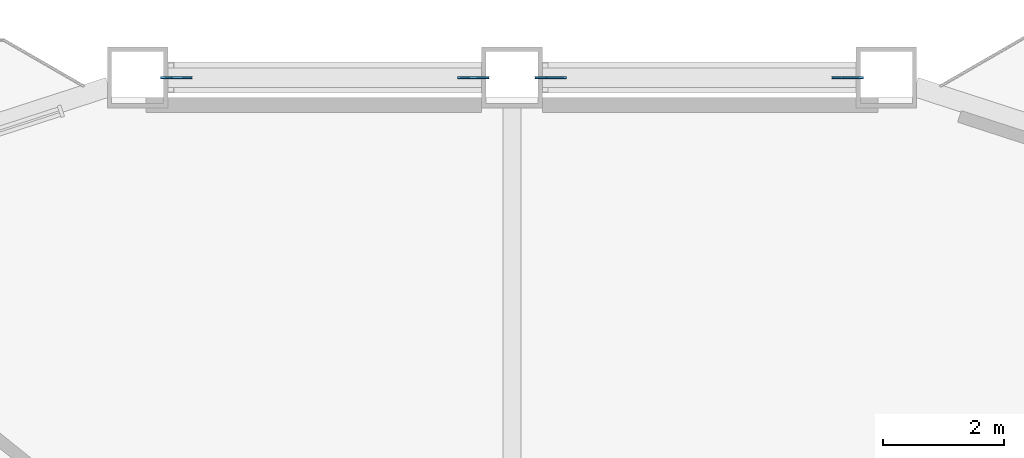
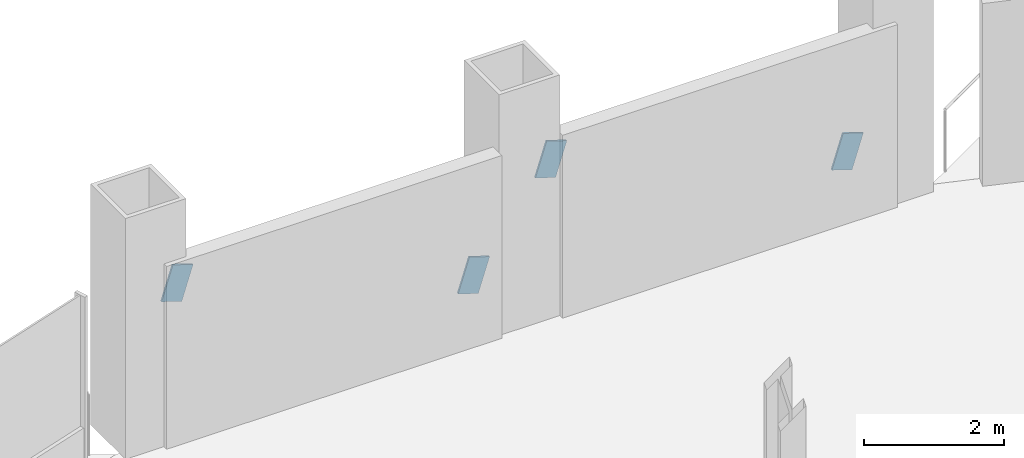
# One storey, part 16 of 21: 4 discrete accessories.
"""IFC4 building model written with IfcOpenShell, lengths in metres."""

import ifcopenshell
import ifcopenshell.guid

model = None  # the IFC model being written
_history = None  # IfcOwnerHistory: only IFC2X3 demands one
_inside = {}  # id of a spatial element -> (the spatial element, [elements in it])
_under = {}  # id of a project, library or spatial element -> (it, [spatial elements below it])
_declared = {}  # id of a project -> (the project, [libraries it declares])
_typed = {}  # id of a type object -> (the type object, [elements of that type])
_made_of = {}  # id of a material, layer set ... -> (it, [elements and type objects made of it])


def new_model(schema):
    """Start an empty IFC model of exactly this schema.

    Asked for "IFC4X3", IfcOpenShell would pick the latest addendum, in which some entities
    have other attributes; the version numbers below select the first issue.
    IFC2X3 requires an IfcOwnerHistory on every rooted entity: one is made here for all.
    """
    global model, _history
    if schema == "IFC4X3":
        model = ifcopenshell.file(schema_version=(4, 3, 0, 0))
    else:
        model = ifcopenshell.file(schema=schema)
    _inside.clear()
    _under.clear()
    _declared.clear()
    _typed.clear()
    _made_of.clear()
    _history = None
    if model.schema == "IFC2X3":
        org = make("IfcOrganization", Name="unknown")
        user = make(
            "IfcPersonAndOrganization",
            ThePerson=make("IfcPerson", FamilyName="unknown"),
            TheOrganization=org,
        )
        app = make(
            "IfcApplication",
            ApplicationDeveloper=org,
            Version="unknown",
            ApplicationFullName="unknown",
            ApplicationIdentifier="unknown",
        )
        _history = make(
            "IfcOwnerHistory",
            OwningUser=user,
            OwningApplication=app,
            ChangeAction="ADDED",
            CreationDate=0,
        )
    return model


def make(cls, **values):
    """One entity of the class cls with the attributes given. An attribute that is None is left unset."""
    return model.create_entity(
        cls, **{name: value for name, value in values.items() if value is not None}
    )


def rooted(cls, **values):
    """An entity with a GlobalId (a new one), such as an element, a storey or a relation."""
    return make(cls, GlobalId=ifcopenshell.guid.new(), OwnerHistory=_history, **values)


def si_unit(unit_type, name, prefix=None):
    """IfcSIUnit, for example si_unit("LENGTHUNIT", "METRE", prefix="MILLI")."""
    return make("IfcSIUnit", UnitType=unit_type, Prefix=prefix, Name=name)


def assignment(units):
    """IfcUnitAssignment: the units of a project."""
    return None if units is None else make("IfcUnitAssignment", Units=units)


def point(xyz):
    """IfcCartesianPoint."""
    return None if xyz is None else make("IfcCartesianPoint", Coordinates=xyz)


def direction(xyz):
    """IfcDirection."""
    return None if xyz is None else make("IfcDirection", DirectionRatios=xyz)


def frame(location, z_axis=None, x_axis=None):
    """IfcAxis2Placement3D, a coordinate frame: its origin and axes. An axis left out is left unset."""
    return make(
        "IfcAxis2Placement3D",
        Location=point(location),
        Axis=direction(z_axis),
        RefDirection=direction(x_axis),
    )


def frame_2d(location, x_axis=None):
    """IfcAxis2Placement2D, a coordinate frame in the plane: its origin and x axis."""
    return make(
        "IfcAxis2Placement2D", Location=point(location), RefDirection=direction(x_axis)
    )


def origin():
    """The frame at (0, 0, 0) with its axes left unset."""
    return frame((0.0, 0.0, 0.0))


def origin_2d():
    """The frame at (0, 0) in the plane with its x axis left unset."""
    return frame_2d((0.0, 0.0))


def place(relative_to, where):
    """IfcLocalPlacement: puts the frame where relative to a parent placement (None: the world)."""
    return make(
        "IfcLocalPlacement", PlacementRelTo=relative_to, RelativePlacement=where
    )


def context(
    kind, dimensions, precision=None, world=None, true_north=None, identifier=None
):
    """IfcGeometricRepresentationContext, for example the 3D "Model" context."""
    return make(
        "IfcGeometricRepresentationContext",
        ContextIdentifier=identifier,
        ContextType=kind,
        CoordinateSpaceDimension=dimensions,
        Precision=precision,
        WorldCoordinateSystem=world,
        TrueNorth=true_north,
    )


def subcontext(parent, identifier, kind, view, scale=None):
    """IfcGeometricRepresentationSubContext, for example "Body" below "Model"."""
    return make(
        "IfcGeometricRepresentationSubContext",
        ContextIdentifier=identifier,
        ContextType=kind,
        ParentContext=parent,
        TargetScale=scale,
        TargetView=view,
    )


def project(units=None, contexts=None):
    """IfcProject with its units and contexts."""
    return rooted(
        "IfcProject",
        Name="project",
        RepresentationContexts=contexts,
        UnitsInContext=assignment(units),
    )


def spatial(cls, under=None, at=None, **own):
    """A site, building, storey or space (cls), placed at a placement, below another one or the project."""
    s = rooted(cls, ObjectPlacement=at, **own)
    if under is not None:
        _under.setdefault(under.id(), (under, []))[1].append(s)
    return s


def profile(cls, at=None, kind="AREA", **sizes):
    """A parametric profile (cls). Its sizes go by their IFC names, for example OverallWidth=200.0."""
    return make(cls, ProfileType=kind, Position=at, **sizes)


def rectangle(**sizes):
    """IfcRectangleProfileDef."""
    return profile("IfcRectangleProfileDef", **sizes)


def extrude(swept, where, along, depth):
    """IfcExtrudedAreaSolid: the profile swept, set in the frame where, extruded along a direction by depth."""
    return make(
        "IfcExtrudedAreaSolid",
        SweptArea=swept,
        Position=where,
        ExtrudedDirection=direction(along),
        Depth=depth,
    )


def shape(context_of_items, identifier, shape_type, items):
    """IfcShapeRepresentation: the items that make up one representation, for example the "Body"."""
    return make(
        "IfcShapeRepresentation",
        ContextOfItems=context_of_items,
        RepresentationIdentifier=identifier,
        RepresentationType=shape_type,
        Items=items,
    )


def material(Name=None, Category=None):
    """IfcMaterial."""
    return make("IfcMaterial", Name=Name, Category=Category)


def material_profile(
    of_material, cross_section, Name=None, Category=None, Priority=None
):
    """IfcMaterialProfile: a cross section and its material."""
    return make(
        "IfcMaterialProfile",
        Name=Name,
        Material=of_material,
        Profile=cross_section,
        Priority=Priority,
        Category=Category,
    )


def profile_set(profiles, Name=None, composite=None):
    """IfcMaterialProfileSet."""
    return make(
        "IfcMaterialProfileSet",
        Name=Name,
        MaterialProfiles=profiles,
        CompositeProfile=composite,
    )


def made_of(thing, what):
    """Note that an element or type object is made of a material, layer set ...; save() writes the relation."""
    if what is not None:
        _made_of.setdefault(what.id(), (what, []))[1].append(thing)
    return thing


def type_object(cls, material=None, **own):
    """A type object (cls), such as IfcWallType, which elements share."""
    return made_of(rooted(cls, **own), material)


def element(
    cls,
    number,
    at=None,
    inside=None,
    cuts=None,
    type_object=None,
    material=None,
    context=None,
    identifier="Body",
    shape_type=None,
    held_by="IfcProductDefinitionShape",
    body=None,
    shapes=None,
    **own,
):
    """One element of the class cls, such as IfcWall. Its Tag is "e" and its number.

    at: its placement. inside: the storey or other place that contains it. cuts: it is an
    opening in that element (IfcRelVoidsElement). A single representation is given by context,
    identifier, shape_type and body (its items); several are given by shapes. held_by: the class
    of the entity that holds the representations. save() writes the other relations.
    """
    e = rooted(cls, Tag="e%d" % number, ObjectPlacement=at, **own)
    if body is not None:
        shapes = [shape(context, identifier, shape_type, body)]
    if shapes is not None:
        e.Representation = make(held_by, Representations=shapes)
    if inside is not None:
        _inside.setdefault(inside.id(), (inside, []))[1].append(e)
    if cuts is not None:
        rooted(
            "IfcRelVoidsElement", RelatingBuildingElement=cuts, RelatedOpeningElement=e
        )
    if type_object is not None:
        _typed.setdefault(type_object.id(), (type_object, []))[1].append(e)
    return made_of(e, material)


def aggregate(whole, parts):
    """IfcRelAggregates: a whole, such as a stair, and the parts it consists of."""
    return rooted("IfcRelAggregates", RelatingObject=whole, RelatedObjects=parts)


def save(model, path):
    """Write the relations noted so far, then the file.

    IfcRelAggregates (storeys below a building ...), IfcRelContainedInSpatialStructure (elements
    in a storey), IfcRelDefinesByType, IfcRelAssociatesMaterial and IfcRelDeclares: one each for
    every whole, place, type object, material and project.
    """
    for whole, parts in _under.values():
        aggregate(whole, parts)
    for where, things in _inside.values():
        rooted(
            "IfcRelContainedInSpatialStructure",
            RelatedElements=things,
            RelatingStructure=where,
        )
    for kind, things in _typed.values():
        rooted("IfcRelDefinesByType", RelatedObjects=things, RelatingType=kind)
    for what, things in _made_of.values():
        rooted("IfcRelAssociatesMaterial", RelatedObjects=things, RelatingMaterial=what)
    for by, libraries in _declared.values():
        rooted("IfcRelDeclares", RelatingContext=by, RelatedDefinitions=libraries)
    model.write(path)


model = new_model("IFC4")

# Units and contexts
model_context = context("Model", 3, precision=1e-05, world=origin(), true_north=direction((0.0, 1.0)))
body_context = subcontext(model_context, "Body", "Model", "MODEL_VIEW")
ifc_project = project(units=[si_unit("LENGTHUNIT", "METRE"), si_unit("AREAUNIT", "SQUARE_METRE"), si_unit("VOLUMEUNIT", "CUBIC_METRE"), si_unit("PLANEANGLEUNIT", "RADIAN"), si_unit("MASSUNIT", "GRAM", prefix="KILO")], contexts=[model_context])

# Site, building, storey
site_placement = place(None, origin())
site = spatial("IfcSite", under=ifc_project, at=site_placement, CompositionType="ELEMENT")
building_placement = place(site_placement, origin())
building = spatial("IfcBuilding", under=site, at=building_placement, Name="Cormorant Prow Tower", CompositionType="ELEMENT")
storey_placement = place(building_placement, frame((0.0, 0.0, 46.800048828125)))
storey = spatial("IfcBuildingStorey", under=building, at=storey_placement, Name="L09", CompositionType="ELEMENT", Elevation=46.800048828125)

# Discrete accessories
ifc_material = material(Name="Structural steel ASTM A500 Gr C", Category="steel")
ifc_material_profile = material_profile(ifc_material, rectangle(XDim=0.031982421875, YDim=0.60791015625, at=origin_2d()), Name="Gusset plate 32x608")
ifc_profile_set = profile_set([ifc_material_profile], Name="Structural steel ASTM A500 Gr C")
discrete_accessory_type = type_object("IfcDiscreteAccessoryType", Name="Gusset plate 32x608", PredefinedType="BRACKET", material=ifc_profile_set)
for number, where, z_axis, x_axis, name in (
    (1, (5.365478515625, 32.233642578125, 0.859130859375), (0.951708617761, 0.0, -0.307002779923), (0.0, 1.0, 0.0), "Gusset plate GP1 L09.N00.g0"),
    (2, (0.80419921875, 32.233642578125, 2.32958984375), (-0.951708617761, 0.0, 0.307002779923), (0.0, -1.0, 0.0), "Gusset plate GP1 L09.N00.g1"),
    (3, (-0.80419921875, 32.233642578125, 0.859130859375), (0.951708617761, 0.0, -0.307002779923), (0.0, 1.0, 0.0), "Gusset plate GP1 L09.N01.g0"),
    (4, (-5.365478515625, 32.233642578125, 2.32958984375), (-0.951708617761, 0.0, 0.307002779923), (0.0, -1.0, 0.0), "Gusset plate GP1 L09.N01.g1"),
):
    element("IfcDiscreteAccessory", number, at=place(storey_placement, frame(where, z_axis=z_axis, x_axis=x_axis)), inside=storey, type_object=discrete_accessory_type, Name=name, PredefinedType="BRACKET", context=body_context, shape_type="SweptSolid", body=[
        extrude(rectangle(XDim=0.031982421875, YDim=0.60791015625, at=origin_2d()), origin(), (0.0, 0.0, 1.0), 0.349853515625),
    ])

save(model, "model.ifc")
